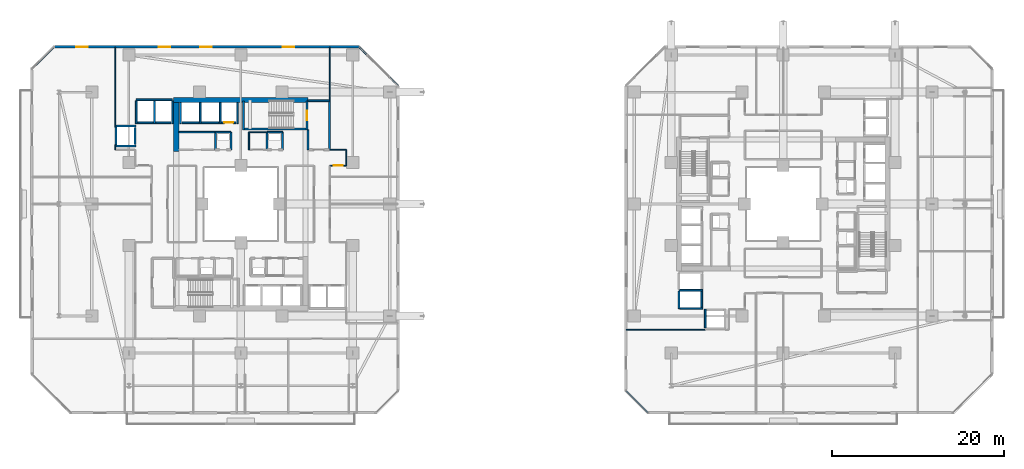
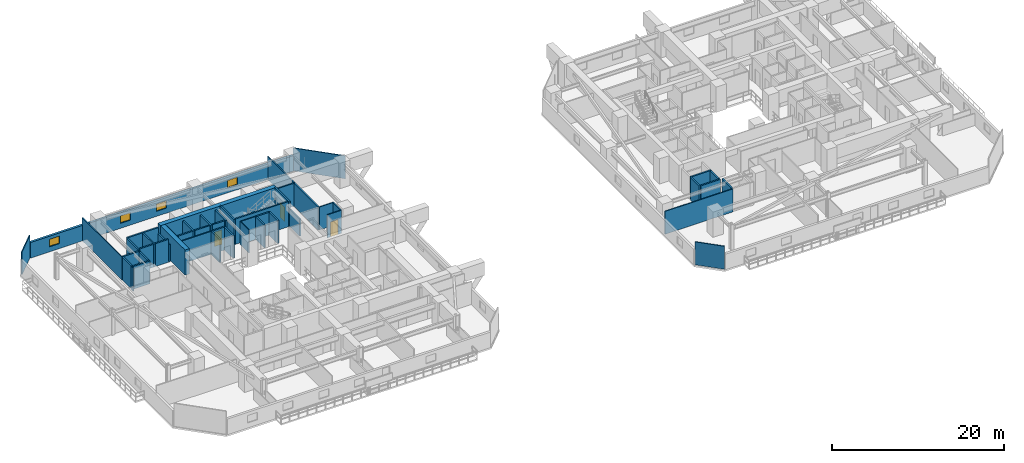
# One storey, part 24 of 36: 50 walls, 4 windows, 3 doors, 7 openings.
"""IFC4 building model written with IfcOpenShell, lengths in metres."""

from ifc_helpers import new_model, si_unit, direction, frame, frame_2d, origin, place, context, subcontext, project, spatial, rectangle, extrude, material, layer, layer_set, type_object, element, fill, save


model = new_model("IFC4")

# Units and contexts
model_context = context("Model", 3, precision=1e-05, world=origin(), true_north=direction((0.0, 1.0)))
body_context = subcontext(model_context, "Body", "Model", "MODEL_VIEW")
ifc_project = project(units=[si_unit("LENGTHUNIT", "METRE"), si_unit("AREAUNIT", "SQUARE_METRE"), si_unit("VOLUMEUNIT", "CUBIC_METRE"), si_unit("PLANEANGLEUNIT", "RADIAN"), si_unit("MASSUNIT", "GRAM", prefix="KILO")], contexts=[model_context])

# Site, building, storey
site_placement = place(None, origin())
site = spatial("IfcSite", under=ifc_project, at=site_placement, CompositionType="ELEMENT")
building_placement = place(site_placement, origin())
building = spatial("IfcBuilding", under=site, at=building_placement, Name="Thornwick Lancets Civic Towers", CompositionType="ELEMENT")
storey_placement = place(building_placement, frame((0.0, 0.0, 45.89990234375)))
storey = spatial("IfcBuildingStorey", under=building, at=storey_placement, Name="L11", CompositionType="ELEMENT", Elevation=45.89990234375)

# Wall, opening, door
ifc_material_1 = material(Name="Concrete blockwork C40/50", Category="masonry")
ifc_layer_1 = layer(ifc_material_1, 0.199951171875, Name="Concrete blockwork C40/50")
ifc_layer_set_1 = layer_set([ifc_layer_1], Name="Concrete blockwork C40/50")
wall_type_1 = type_object("IfcWallType", Name="WALL_COMP_200", PredefinedType="STANDARD", material=ifc_layer_set_1)
wall_1_placement = place(storey_placement, frame((24.919921875, 36.449951171875, 0.0), z_axis=(0.0, 0.0, 1.0), x_axis=(-1.0, 0.0, 0.0)))
wall_1 = element("IfcWall", 1, at=wall_1_placement, inside=storey, type_object=wall_type_1, Name="L11 Hoistway Front Wall FL-A2", PredefinedType="STANDARD", context=body_context, shape_type="SweptSolid", body=[
    extrude(rectangle(XDim=1.639892578125, YDim=0.199951171875, at=frame_2d((0.81982421875, 0.0))), origin(), (0.0, 0.0, 1.0), 3.260009765625),
])
opening_1_placement = place(wall_1_placement, frame((0.31005859375, 0.0, 0.0)))
opening_1 = element("IfcOpeningElement", 2, at=opening_1_placement, cuts=wall_1, Name="Opening LD-FL-A2", PredefinedType="OPENING", context=body_context, shape_type="SweptSolid", body=[
    extrude(rectangle(XDim=1.02001953125, YDim=2.06005859375, at=frame_2d((0.510009765625, 1.030029296875))), frame((0.0, 0.10986328125, 0.0), z_axis=(0.0, -1.0, 0.0), x_axis=(1.0, 0.0, 0.0)), (0.0, 0.0, 1.0), 0.219970703125),
])
ifc_material_2 = material(Name="Brushed bronze stainless steel", Category="steel")
door_type_1 = type_object("IfcDoorType", Name="DOOR_LIFT_SLIDE", OperationType="SLIDING_TO_LEFT", PredefinedType="DOOR", material=ifc_material_2)
door_1_placement = place(opening_1_placement, origin())
door_1 = element("IfcDoor", 3, at=door_1_placement, inside=storey, type_object=door_type_1, Name="L11 Sliding Lift Landing Door LD-FL-A2", OperationType="SLIDING_TO_LEFT", OverallHeight=2.06005859375, OverallWidth=1.02001953125, PredefinedType="DOOR", context=body_context, shape_type="SweptSolid", body=[
    extrude(rectangle(XDim=1.02001953125, YDim=2.06005859375, at=frame_2d((0.510009765625, 1.030029296875))), frame((0.0, 0.02490234375, 0.0), z_axis=(0.0, -1.0, 0.0), x_axis=(1.0, 0.0, 0.0)), (0.0, 0.0, 1.0), 0.050048828125),
])
fill(opening_1, door_1)

# Walls
wall_2_placement = place(storey_placement, frame((22.919921875, 36.449951171875, 0.0), z_axis=(0.0, 0.0, 1.0), x_axis=(-1.0, 0.0, 0.0)))
element("IfcWall", 4, at=wall_2_placement, inside=storey, type_object=wall_type_1, Name="L11 Hoistway Front Wall PL-AH2", PredefinedType="STANDARD", context=body_context, shape_type="SweptSolid", body=[
    extrude(rectangle(XDim=1.989990234375, YDim=0.199951171875, at=frame_2d((0.9951171875, 0.0))), origin(), (0.0, 0.0, 1.0), 3.260009765625),
])
wall_3_placement = place(storey_placement, frame((20.6201171875, 36.449951171875, 0.0), z_axis=(0.0, 0.0, 1.0), x_axis=(-1.0, 0.0, 0.0)))
element("IfcWall", 5, at=wall_3_placement, inside=storey, type_object=wall_type_1, Name="L11 Hoistway Front Wall PL-AH3", PredefinedType="STANDARD", context=body_context, shape_type="SweptSolid", body=[
    extrude(rectangle(XDim=1.940185546875, YDim=0.199951171875, at=frame_2d((0.97021484375, 0.0))), origin(), (0.0, 0.0, 1.0), 3.260009765625),
])
wall_4_placement = place(storey_placement, frame((17.3701171875, 36.449951171875, 0.0), z_axis=(0.0, 0.0, 1.0), x_axis=(-1.0, 0.0, 0.0)))
element("IfcWall", 6, at=wall_4_placement, inside=storey, type_object=wall_type_1, Name="L11 Hoistway Front Wall PL-AM1", PredefinedType="STANDARD", context=body_context, shape_type="SweptSolid", body=[
    extrude(rectangle(XDim=1.740234375, YDim=0.199951171875, at=frame_2d((0.8701171875, 0.0))), origin(), (0.0, 0.0, 1.0), 3.260009765625),
])
for number, where, z_axis, x_axis, name in (
    (7, (15.320068359375, 36.449951171875, 0.0), (0.0, 0.0, 1.0), (-1.0, 0.0, 0.0), "L11 Hoistway Front Wall PL-AM2"),
    (8, (79.050048828125, 15.030029296875, 0.0), (0.0, 0.0, 1.0), (0.0, 1.0, 0.0), "L11 Hoistway Front Wall PL-BM2"),
):
    element("IfcWall", number, at=place(storey_placement, frame(where, z_axis=z_axis, x_axis=x_axis)), inside=storey, type_object=wall_type_1, Name=name, PredefinedType="STANDARD", context=body_context, shape_type="SweptSolid", body=[
        extrude(rectangle(XDim=1.7900390625, YDim=0.199951171875, at=frame_2d((0.89501953125, 0.0))), origin(), (0.0, 0.0, 1.0), 3.260009765625),
    ])
wall_5_placement = place(storey_placement, frame((13.199951171875, 33.929931640625, 0.0), z_axis=(0.0, 0.0, 1.0), x_axis=(0.0, 1.0, 0.0)))
element("IfcWall", 9, at=wall_5_placement, inside=storey, type_object=wall_type_1, Name="L11 Hoistway Front Wall PL-AM3", PredefinedType="STANDARD", context=body_context, shape_type="SweptSolid", body=[
    extrude(rectangle(XDim=1.940185546875, YDim=0.199951171875, at=frame_2d((0.97021484375, 0.0))), origin(), (0.0, 0.0, 1.0), 3.260009765625),
])
for number, where, z_axis, x_axis, name in (
    (10, (25.10009765625, 36.35205078125, 0.0), (0.0, 0.0, 1.0), (0.0, 1.0, 0.0), "L11 Hoistway Shaft Wall FL-A2 E"),
    (11, (23.10009765625, 36.35205078125, 0.0), (0.0, 0.0, 1.0), (0.0, 1.0, 0.0), "L11 Hoistway Shaft Wall FL-A2 W"),
    (12, (20.77490234375, 36.35205078125, 0.0), (0.0, 0.0, 1.0), (0.0, 1.0, 0.0), "L11 Hoistway Shaft Wall PL-AH2 W"),
    (13, (18.5, 36.35205078125, 0.0), (0.0, 0.0, 1.0), (0.0, 1.0, 0.0), "L11 Hoistway Shaft Wall PL-AH3 W"),
):
    element("IfcWall", number, at=place(storey_placement, frame(where, z_axis=z_axis, x_axis=x_axis)), inside=storey, type_object=wall_type_1, Name=name, PredefinedType="STANDARD", context=body_context, shape_type="SweptSolid", body=[
        extrude(rectangle(XDim=2.43603515625, YDim=0.199951171875, at=frame_2d((1.218017578125, 0.0))), origin(), (0.0, 0.0, 1.0), 3.260009765625),
    ])
wall_6_placement = place(storey_placement, frame((13.35205078125, 39.10009765625, 0.0), z_axis=(0.0, 0.0, 1.0), x_axis=(1.0, 0.0, 0.0)))
element("IfcWall", 14, at=wall_6_placement, inside=storey, type_object=wall_type_1, Name="L11 Hoistway Shaft Wall PL-AM1 N", PredefinedType="STANDARD", context=body_context, shape_type="SweptSolid", body=[
    extrude(rectangle(XDim=4.196044921875, YDim=0.199951171875, at=frame_2d((2.09814453125, 0.0))), origin(), (0.0, 0.0, 1.0), 3.260009765625),
])
wall_7_placement = place(storey_placement, frame((17.550048828125, 36.35205078125, 0.0), z_axis=(0.0, 0.0, 1.0), x_axis=(0.0, 1.0, 0.0)))
element("IfcWall", 15, at=wall_7_placement, inside=storey, type_object=wall_type_1, Name="L11 Hoistway Shaft Wall PL-AM1 E", PredefinedType="STANDARD", context=body_context, shape_type="SweptSolid", body=[
    extrude(rectangle(XDim=2.635986328125, YDim=0.199951171875, at=frame_2d((1.31787109375, 0.0))), origin(), (0.0, 0.0, 1.0), 2.465087890625),
])
wall_8_placement = place(storey_placement, frame((15.47509765625, 36.35205078125, 0.0), z_axis=(0.0, 0.0, 1.0), x_axis=(0.0, 1.0, 0.0)))
element("IfcWall", 16, at=wall_8_placement, inside=storey, type_object=wall_type_1, Name="L11 Hoistway Shaft Wall PL-AM1 W", PredefinedType="STANDARD", context=body_context, shape_type="SweptSolid", body=[
    extrude(rectangle(XDim=2.635986328125, YDim=0.199951171875, at=frame_2d((1.31787109375, 0.0))), origin(), (0.0, 0.0, 1.0), 3.260009765625),
])
wall_9_placement = place(storey_placement, frame((76.402099609375, 16.97509765625, 0.0), z_axis=(0.0, 0.0, 1.0), x_axis=(1.0, 0.0, 0.0)))
element("IfcWall", 17, at=wall_9_placement, inside=storey, type_object=wall_type_1, Name="L11 Hoistway Shaft Wall PL-BM1 S", PredefinedType="STANDARD", context=body_context, shape_type="SweptSolid", body=[
    extrude(rectangle(XDim=2.745849609375, YDim=0.199951171875, at=frame_2d((1.373046875, 0.0))), origin(), (0.0, 0.0, 1.0), 3.260009765625),
])
wall_10_placement = place(storey_placement, frame((76.39990234375, 14.85205078125, 0.0), z_axis=(0.0, 0.0, 1.0), x_axis=(0.0, 1.0, 0.0)))
element("IfcWall", 18, at=wall_10_placement, inside=storey, type_object=wall_type_1, Name="L11 Hoistway Shaft Wall PL-BM1 W", PredefinedType="STANDARD", context=body_context, shape_type="SweptSolid", body=[
    extrude(rectangle(XDim=2.015869140625, YDim=0.199951171875, at=frame_2d((1.0078125, 0.0))), origin(), (0.0, 0.0, 1.0), 3.260009765625),
])
for number, where, z_axis, x_axis, name in (
    (19, (13.35009765625, 36.35205078125, 0.0), (0.0, 0.0, 1.0), (0.0, 1.0, 0.0), "L11 Hoistway Shaft Wall PL-AM2 W"),
    (20, (76.511962890625, 14.85009765625, 0.0), (0.0, 0.0, 1.0), (1.0, 0.0, 0.0), "L11 Hoistway Shaft Wall PL-BM2 S"),
):
    element("IfcWall", number, at=place(storey_placement, frame(where, z_axis=z_axis, x_axis=x_axis)), inside=storey, type_object=wall_type_1, Name=name, PredefinedType="STANDARD", context=body_context, shape_type="SweptSolid", body=[
        extrude(rectangle(XDim=2.635986328125, YDim=0.199951171875, at=frame_2d((1.31787109375, 0.0))), origin(), (0.0, 0.0, 1.0), 3.260009765625),
    ])
for number, where, z_axis, x_axis, name in (
    (21, (11.001953125, 36.050048828125, 0.0), (0.0, 0.0, 1.0), (1.0, 0.0, 0.0), "L11 Hoistway Shaft Wall PL-AM3 N"),
    (22, (11.001953125, 33.75, 0.0), (0.0, 0.0, 1.0), (1.0, 0.0, 0.0), "L11 Hoistway Shaft Wall PL-AM3 S"),
):
    element("IfcWall", number, at=place(storey_placement, frame(where, z_axis=z_axis, x_axis=x_axis)), inside=storey, type_object=wall_type_1, Name=name, PredefinedType="STANDARD", context=body_context, shape_type="SweptSolid", body=[
        extrude(rectangle(XDim=2.296142578125, YDim=0.199951171875, at=frame_2d((1.14794921875, 0.0))), origin(), (0.0, 0.0, 1.0), 3.260009765625),
    ])
wall_11_placement = place(storey_placement, frame((11.0, 33.862060546875, 0.0), z_axis=(0.0, 0.0, 1.0), x_axis=(0.0, 1.0, 0.0)))
element("IfcWall", 23, at=wall_11_placement, inside=storey, type_object=wall_type_1, Name="L11 Hoistway Shaft Wall PL-AM3 W", PredefinedType="STANDARD", context=body_context, shape_type="SweptSolid", body=[
    extrude(rectangle(XDim=2.075927734375, YDim=0.199951171875, at=frame_2d((1.0380859375, 0.0))), origin(), (0.0, 0.0, 1.0), 3.260009765625),
])
wall_12_placement = place(storey_placement, frame((79.449951171875, 12.612060546875, 0.0), z_axis=(0.0, 0.0, 1.0), x_axis=(0.0, 1.0, 0.0)))
element("IfcWall", 24, at=wall_12_placement, inside=storey, type_object=wall_type_1, Name="L11 Hoistway Shaft Wall PL-BM3 W", PredefinedType="STANDARD", context=body_context, shape_type="SweptSolid", body=[
    extrude(rectangle(XDim=2.18603515625, YDim=0.199951171875, at=frame_2d((1.093017578125, 0.0))), origin(), (0.0, 0.0, 1.0), 3.260009765625),
])
wall_13_placement = place(storey_placement, frame((35.800048828125, 33.300048828125, 0.0), z_axis=(0.0, 0.0, 1.0), x_axis=(0.0, 1.0, 0.0)))
element("IfcWall", 25, at=wall_13_placement, inside=storey, type_object=wall_type_1, Name="L11 Partition L11-A-FFLOB2 E2", PredefinedType="STANDARD", context=body_context, shape_type="SweptSolid", body=[
    extrude(rectangle(XDim=5.699951171875, YDim=0.199951171875, at=frame_2d((2.85009765625, 0.0))), origin(), (0.0, 0.0, 1.0), 3.260009765625),
])
wall_14_placement = place(storey_placement, frame((35.800048828125, 39.0, 0.0), z_axis=(0.0, 0.0, 1.0), x_axis=(-1.0, 0.0, 0.0)))
element("IfcWall", 26, at=wall_14_placement, inside=storey, type_object=wall_type_1, Name="L11 Partition L11-A-FFLOB2 E3", PredefinedType="STANDARD", context=body_context, shape_type="SweptSolid", body=[
    extrude(rectangle(XDim=2.5, YDim=0.199951171875, at=frame_2d((1.25, 0.0))), origin(), (0.0, 0.0, 1.0), 3.260009765625),
])
wall_15_placement = place(storey_placement, frame((33.300048828125, 35.60009765625, 0.0), z_axis=(0.0, 0.0, 1.0), x_axis=(0.0, -1.0, 0.0)))
element("IfcWall", 27, at=wall_15_placement, inside=storey, type_object=wall_type_1, Name="L11 Partition L11-A-FFLOB2 E4", PredefinedType="STANDARD", context=body_context, shape_type="SweptSolid", body=[
    extrude(rectangle(XDim=2.300048828125, YDim=0.199951171875, at=frame_2d((1.14990234375, 0.0))), origin(), (0.0, 0.0, 1.0), 2.465087890625),
])
wall_16_placement = place(storey_placement, frame((24.35009765625, 33.300048828125, 0.0), z_axis=(0.0, 0.0, 1.0), x_axis=(0.0, 1.0, 0.0)))
element("IfcWall", 28, at=wall_16_placement, inside=storey, type_object=wall_type_1, Name="L11 Partition L11-A-DUCT2 E2", PredefinedType="STANDARD", context=body_context, shape_type="SweptSolid", body=[
    extrude(rectangle(XDim=2.050048828125, YDim=0.199951171875, at=frame_2d((1.02490234375, 0.0))), origin(), (0.0, 0.0, 1.0), 3.260009765625),
])
wall_17_placement = place(storey_placement, frame((24.35009765625, 35.35009765625, 0.0), z_axis=(0.0, 0.0, 1.0), x_axis=(-1.0, 0.0, 0.0)))
element("IfcWall", 29, at=wall_17_placement, inside=storey, type_object=wall_type_1, Name="L11 Partition L11-A-DUCT2 E3", PredefinedType="STANDARD", context=body_context, shape_type="SweptSolid", body=[
    extrude(rectangle(XDim=1.800048828125, YDim=0.199951171875, at=frame_2d((0.89990234375, 0.0))), origin(), (0.0, 0.0, 1.0), 3.260009765625),
])
for number, where, z_axis, x_axis, name in (
    (30, (22.550048828125, 35.35009765625, 0.0), (0.0, 0.0, 1.0), (0.0, -1.0, 0.0), "L11 Partition L11-A-DUCT2 E4"),
    (31, (30.35009765625, 33.300048828125, 0.0), (0.0, 0.0, 1.0), (0.0, 1.0, 0.0), "L11 Partition L11-A-RISER2 E2"),
):
    element("IfcWall", number, at=place(storey_placement, frame(where, z_axis=z_axis, x_axis=x_axis)), inside=storey, type_object=wall_type_1, Name=name, PredefinedType="STANDARD", context=body_context, shape_type="SweptSolid", body=[
        extrude(rectangle(XDim=2.050048828125, YDim=0.199951171875, at=frame_2d((1.02490234375, 0.0))), origin(), (0.0, 0.0, 1.0), 3.260009765625),
    ])
wall_18_placement = place(storey_placement, frame((30.35009765625, 35.35009765625, 0.0), z_axis=(0.0, 0.0, 1.0), x_axis=(-1.0, 0.0, 0.0)))
element("IfcWall", 32, at=wall_18_placement, inside=storey, type_object=wall_type_1, Name="L11 Partition L11-A-RISER2 E3", PredefinedType="STANDARD", context=body_context, shape_type="SweptSolid", body=[
    extrude(rectangle(XDim=1.800048828125, YDim=0.199951171875, at=frame_2d((0.89990234375, 0.0))), origin(), (0.0, 0.0, 1.0), 3.260009765625),
])
wall_19_placement = place(storey_placement, frame((28.550048828125, 35.35009765625, 0.0), z_axis=(0.0, 0.0, 1.0), x_axis=(0.0, -1.0, 0.0)))
element("IfcWall", 33, at=wall_19_placement, inside=storey, type_object=wall_type_1, Name="L11 Partition L11-A-RISER2 E4", PredefinedType="STANDARD", context=body_context, shape_type="SweptSolid", body=[
    extrude(rectangle(XDim=2.050048828125, YDim=0.199951171875, at=frame_2d((1.02490234375, 0.0))), origin(), (0.0, 0.0, 1.0), 3.260009765625),
])
ifc_material_3 = material(Name="Concrete C60/75", Category="concrete")
ifc_layer_2 = layer(ifc_material_3, 0.60009765625, Name="Concrete C60/75")
ifc_layer_set_2 = layer_set([ifc_layer_2], Name="Concrete C60/75")
wall_type_2 = type_object("IfcWallType", Name="WALL_CORE_600", PredefinedType="SHEAR", material=ifc_layer_set_2)
wall_20_placement = place(storey_placement, frame((17.699951171875, 39.10009765625, 0.0), z_axis=(0.0, 0.0, 1.0), x_axis=(1.0, 0.0, 0.0)))
element("IfcWall", 34, at=wall_20_placement, inside=storey, type_object=wall_type_2, Name="L11 Split Core A2 Shear Wall N", PredefinedType="SHEAR", context=body_context, shape_type="SweptSolid", body=[
    extrude(rectangle(XDim=15.60009765625, YDim=0.60009765625, at=frame_2d((7.800048828125, 0.0))), origin(), (0.0, 0.0, 1.0), 3.60009765625),
])
wall_21_placement = place(storey_placement, frame((18.0, 33.10009765625, 0.0), z_axis=(0.0, 0.0, 1.0), x_axis=(0.0, 1.0, 0.0)))
element("IfcWall", 35, at=wall_21_placement, inside=storey, type_object=wall_type_2, Name="L11 Split Core A2 Shear Wall W", PredefinedType="SHEAR", context=body_context, shape_type="SweptSolid", body=[
    extrude(rectangle(XDim=5.699951171875, YDim=0.60009765625, at=frame_2d((2.85009765625, 0.0))), origin(), (0.0, 0.0, 1.0), 3.60009765625),
])

# Wall, openings, windows
ifc_material_4 = material(Name="Insulated russet terracotta rainscreen on concrete C40/50", Category="masonry")
ifc_layer_3 = layer(ifc_material_4, 0.300048828125, Name="Insulated russet terracotta rainscreen on concrete C40/50")
ifc_layer_set_3 = layer_set([ifc_layer_3], Name="Insulated russet terracotta rainscreen on concrete C40/50")
wall_type_3 = type_object("IfcWallType", Name="WALL_EXT_RUSSET_300", PredefinedType="STANDARD", material=ifc_layer_set_3)
wall_22_placement = place(storey_placement, frame((39.224609375, 45.258544921875, 0.0), z_axis=(0.0, 0.0, 1.0), x_axis=(-0.999999983929, 0.00017928314, 0.0)))
wall_22 = element("IfcWall", 36, at=wall_22_placement, inside=storey, type_object=wall_type_3, Name="L11 Tower A Terracotta Facade Wall E4", PredefinedType="STANDARD", context=body_context, shape_type="SweptSolid", body=[
    extrude(rectangle(XDim=35.40576171875, YDim=0.300048828125, at=frame_2d((17.702880859375, 0.0))), origin(), (0.0, 0.0, 1.0), 2.22021484375),
])
opening_2_placement = place(wall_22_placement, frame((7.5, 0.0, 0.719970703125)))
opening_2 = element("IfcOpeningElement", 37, at=opening_2_placement, cuts=wall_22, Name="Opening WL-03", PredefinedType="OPENING", context=body_context, shape_type="SweptSolid", body=[
    extrude(rectangle(XDim=1.35009765625, YDim=1.050048828125, at=frame_2d((0.675048828125, 0.52490234375))), frame((0.0, 0.16015625, 0.0), z_axis=(0.0, -1.0, 0.0), x_axis=(1.0, 0.0, 0.0)), (0.0, 0.0, 1.0), 0.320068359375),
])
opening_3_placement = place(wall_22_placement, frame((17.10009765625, 0.0, 0.719970703125)))
opening_3 = element("IfcOpeningElement", 38, at=opening_3_placement, cuts=wall_22, Name="Opening WL-03", PredefinedType="OPENING", context=body_context, shape_type="SweptSolid", body=[
    extrude(rectangle(XDim=1.35009765625, YDim=1.050048828125, at=frame_2d((0.675048828125, 0.52490234375))), frame((0.0, 0.16015625, 0.0), z_axis=(0.0, -1.0, 0.0), x_axis=(1.0, 0.0, 0.0)), (0.0, 0.0, 1.0), 0.320068359375),
])
opening_4_placement = place(wall_22_placement, frame((21.89990234375, 0.0, 0.719970703125)))
opening_4 = element("IfcOpeningElement", 39, at=opening_4_placement, cuts=wall_22, Name="Opening WL-03", PredefinedType="OPENING", context=body_context, shape_type="SweptSolid", body=[
    extrude(rectangle(XDim=1.35009765625, YDim=1.050048828125, at=frame_2d((0.675048828125, 0.52490234375))), frame((0.0, 0.16015625, 0.0), z_axis=(0.0, -1.0, 0.0), x_axis=(1.0, 0.0, 0.0)), (0.0, 0.0, 1.0), 0.320068359375),
])
opening_5_placement = place(wall_22_placement, frame((31.5, 0.0, 0.719970703125)))
opening_5 = element("IfcOpeningElement", 40, at=opening_5_placement, cuts=wall_22, Name="Opening WL-03", PredefinedType="OPENING", context=body_context, shape_type="SweptSolid", body=[
    extrude(rectangle(XDim=1.35009765625, YDim=1.050048828125, at=frame_2d((0.675048828125, 0.52490234375))), frame((0.0, 0.16015625, 0.0), z_axis=(0.0, -1.0, 0.0), x_axis=(1.0, 0.0, 0.0)), (0.0, 0.0, 1.0), 0.320068359375),
])
ifc_material_5 = material(Name="Clear low-e double glazing clerestory lancet", Category="glass")
window_type = type_object("IfcWindowType", Name="WIN_LANCET_1350", PartitioningType="SINGLE_PANEL", PredefinedType="WINDOW", material=ifc_material_5)
window_1_placement = place(opening_2_placement, origin())
window_1 = element("IfcWindow", 41, at=window_1_placement, inside=storey, type_object=window_type, Name="L11 Tower A Staggered Lancet Window E4-1", OverallHeight=1.050048828125, OverallWidth=1.35009765625, PartitioningType="SINGLE_PANEL", PredefinedType="WINDOW", context=body_context, shape_type="SweptSolid", body=[
    extrude(rectangle(XDim=1.35009765625, YDim=1.050048828125, at=frame_2d((0.675048828125, 0.52490234375))), frame((0.0, 0.030029296875, 0.0), z_axis=(0.0, -1.0, 0.0), x_axis=(1.0, 0.0, 0.0)), (0.0, 0.0, 1.0), 0.06005859375),
])
fill(opening_2, window_1)
window_2_placement = place(opening_3_placement, origin())
window_2 = element("IfcWindow", 42, at=window_2_placement, inside=storey, type_object=window_type, Name="L11 Tower A Staggered Lancet Window E4-2", OverallHeight=1.050048828125, OverallWidth=1.35009765625, PartitioningType="SINGLE_PANEL", PredefinedType="WINDOW", context=body_context, shape_type="SweptSolid", body=[
    extrude(rectangle(XDim=1.35009765625, YDim=1.050048828125, at=frame_2d((0.675048828125, 0.52490234375))), frame((0.0, 0.030029296875, 0.0), z_axis=(0.0, -1.0, 0.0), x_axis=(1.0, 0.0, 0.0)), (0.0, 0.0, 1.0), 0.06005859375),
])
fill(opening_3, window_2)
window_3_placement = place(opening_4_placement, origin())
window_3 = element("IfcWindow", 43, at=window_3_placement, inside=storey, type_object=window_type, Name="L11 Tower A Staggered Lancet Window E4-3", OverallHeight=1.050048828125, OverallWidth=1.35009765625, PartitioningType="SINGLE_PANEL", PredefinedType="WINDOW", context=body_context, shape_type="SweptSolid", body=[
    extrude(rectangle(XDim=1.35009765625, YDim=1.050048828125, at=frame_2d((0.675048828125, 0.52490234375))), frame((0.0, 0.030029296875, 0.0), z_axis=(0.0, -1.0, 0.0), x_axis=(1.0, 0.0, 0.0)), (0.0, 0.0, 1.0), 0.06005859375),
])
fill(opening_4, window_3)
window_4_placement = place(opening_5_placement, origin())
window_4 = element("IfcWindow", 44, at=window_4_placement, inside=storey, type_object=window_type, Name="L11 Tower A Staggered Lancet Window E4-4", OverallHeight=1.050048828125, OverallWidth=1.35009765625, PartitioningType="SINGLE_PANEL", PredefinedType="WINDOW", context=body_context, shape_type="SweptSolid", body=[
    extrude(rectangle(XDim=1.35009765625, YDim=1.050048828125, at=frame_2d((0.675048828125, 0.52490234375))), frame((0.0, 0.030029296875, 0.0), z_axis=(0.0, -1.0, 0.0), x_axis=(1.0, 0.0, 0.0)), (0.0, 0.0, 1.0), 0.06005859375),
])
fill(opening_5, window_4)

# Walls
ifc_material_6 = material(Name="Acoustic gypsum board partition")
ifc_layer_4 = layer(ifc_material_6, 0.1201171875, Name="Acoustic gypsum board partition")
ifc_layer_set_4 = layer_set([ifc_layer_4], Name="Acoustic gypsum board partition")
wall_type_4 = type_object("IfcWallType", Name="WALL_PART_120", PredefinedType="PARTITIONING", material=ifc_layer_set_4)
wall_23_placement = place(storey_placement, frame((26.449951171875, 33.300048828125, 0.0), z_axis=(0.0, 0.0, 1.0), x_axis=(0.0, 1.0, 0.0)))
element("IfcWall", 45, at=wall_23_placement, inside=storey, type_object=wall_type_4, Name="L11 Partition L11-A-ITR E1", PredefinedType="PARTITIONING", context=body_context, shape_type="SweptSolid", body=[
    extrude(rectangle(XDim=2.050048828125, YDim=0.1201171875, at=frame_2d((1.02490234375, 0.0))), origin(), (0.0, 0.0, 1.0), 3.260009765625),
])
wall_24_placement = place(storey_placement, frame((26.449951171875, 35.35009765625, 0.0), z_axis=(0.0, 0.0, 1.0), x_axis=(1.0, 0.0, 0.0)))
element("IfcWall", 46, at=wall_24_placement, inside=storey, type_object=wall_type_4, Name="L11 Partition L11-A-ITR E2", PredefinedType="PARTITIONING", context=body_context, shape_type="SweptSolid", body=[
    extrude(rectangle(XDim=2.10009765625, YDim=0.1201171875, at=frame_2d((1.050048828125, 0.0))), origin(), (0.0, 0.0, 1.0), 3.260009765625),
])
wall_25_placement = place(storey_placement, frame((1.280029296875, 42.725341796875, 0.0), z_axis=(0.0, 0.0, 1.0), x_axis=(0.707106781187, 0.707106781187, 0.0)))
element("IfcWall", 47, at=wall_25_placement, inside=storey, type_object=wall_type_4, Name="L11 Partition L11-A-W3 E7", PredefinedType="PARTITIONING", context=body_context, shape_type="SweptSolid", body=[
    extrude(rectangle(XDim=3.52783203125, YDim=0.1201171875, at=frame_2d((1.763916015625, 0.0))), origin(), (0.0, 0.0, 1.0), 3.260009765625),
])
wall_26_placement = place(storey_placement, frame((10.89990234375, 45.219970703125, 0.0), z_axis=(0.0, 0.0, 1.0), x_axis=(0.0, -1.0, 0.0)))
element("IfcWall", 48, at=wall_26_placement, inside=storey, type_object=wall_type_4, Name="L11 Partition L11-A-W3 E9", PredefinedType="PARTITIONING", context=body_context, shape_type="SweptSolid", body=[
    extrude(rectangle(XDim=9.281982421875, YDim=0.1201171875, at=frame_2d((4.64111328125, 0.0))), origin(), (0.0, 0.0, 1.0), 3.260009765625),
])
wall_27_placement = place(storey_placement, frame((10.89990234375, 33.862060546875, 0.0), z_axis=(0.0, 0.0, 1.0), x_axis=(0.0, -1.0, 0.0)))
element("IfcWall", 49, at=wall_27_placement, inside=storey, type_object=wall_type_4, Name="L11 Partition L11-A-W3 E9", PredefinedType="PARTITIONING", context=body_context, shape_type="SweptSolid", body=[
    extrude(rectangle(XDim=0.56201171875, YDim=0.1201171875, at=frame_2d((0.281005859375, 0.0))), origin(), (0.0, 0.0, 1.0), 3.260009765625),
])

# Wall, opening, door
wall_28_placement = place(storey_placement, frame((35.85009765625, 31.449951171875, 0.0), z_axis=(0.0, 0.0, 1.0), x_axis=(1.0, 0.0, 0.0)))
wall_28 = element("IfcWall", 50, at=wall_28_placement, inside=storey, type_object=wall_type_4, Name="L11 Partition L11-A-E3 E1", PredefinedType="PARTITIONING", context=body_context, shape_type="SweptSolid", body=[
    extrude(rectangle(XDim=1.89990234375, YDim=0.1201171875, at=frame_2d((0.949951171875, 0.0))), origin(), (0.0, 0.0, 1.0), 3.260009765625),
])
opening_6_placement = place(wall_28_placement, frame((0.425048828125, 0.0, 0.0)))
opening_6 = element("IfcOpeningElement", 51, at=opening_6_placement, cuts=wall_28, Name="Opening D-L11-0566", PredefinedType="OPENING", context=body_context, shape_type="SweptSolid", body=[
    extrude(rectangle(XDim=1.050048828125, YDim=2.10009765625, at=frame_2d((0.52490234375, 1.050048828125))), frame((0.0, 0.070068359375, 0.0), z_axis=(0.0, -1.0, 0.0), x_axis=(1.0, 0.0, 0.0)), (0.0, 0.0, 1.0), 0.14013671875),
])
ifc_material_7 = material(Name="Glazed European oak executive doorset")
door_type_2 = type_object("IfcDoorType", Name="DOOR_OFFICE_1050", OperationType="NOTDEFINED", PredefinedType="DOOR", material=ifc_material_7)
door_2_placement = place(opening_6_placement, origin())
door_2 = element("IfcDoor", 52, at=door_2_placement, inside=storey, type_object=door_type_2, Name="L11 Tower A Civic Seminar Room Door", OperationType="SINGLE_SWING_LEFT", OverallHeight=2.10009765625, OverallWidth=1.050048828125, PredefinedType="DOOR", context=body_context, shape_type="SweptSolid", body=[
    extrude(rectangle(XDim=1.050048828125, YDim=2.10009765625, at=frame_2d((0.52490234375, 1.050048828125))), frame((0.0, 0.02490234375, 0.0), z_axis=(0.0, -1.0, 0.0), x_axis=(1.0, 0.0, 0.0)), (0.0, 0.0, 1.0), 0.050048828125),
])
fill(opening_6, door_2)

# Walls
wall_29_placement = place(storey_placement, frame((37.75, 31.449951171875, 0.0), z_axis=(0.0, 0.0, 1.0), x_axis=(0.0, 1.0, 0.0)))
element("IfcWall", 53, at=wall_29_placement, inside=storey, type_object=wall_type_4, Name="L11 Partition L11-A-E3 E2", PredefinedType="PARTITIONING", context=body_context, shape_type="SweptSolid", body=[
    extrude(rectangle(XDim=1.85009765625, YDim=0.1201171875, at=frame_2d((0.925048828125, 0.0))), origin(), (0.0, 0.0, 1.0), 3.260009765625),
])
wall_30_placement = place(storey_placement, frame((37.75, 33.300048828125, 0.0), z_axis=(0.0, 0.0, 1.0), x_axis=(-1.0, 0.0, 0.0)))
element("IfcWall", 54, at=wall_30_placement, inside=storey, type_object=wall_type_4, Name="L11 Partition L11-A-E3 E3", PredefinedType="PARTITIONING", context=body_context, shape_type="SweptSolid", body=[
    extrude(rectangle(XDim=1.89990234375, YDim=0.1201171875, at=frame_2d((0.949951171875, 0.0))), origin(), (0.0, 0.0, 1.0), 3.260009765625),
])
wall_31_placement = place(storey_placement, frame((35.85009765625, 39.0, 0.0), z_axis=(0.0, 0.0, 1.0), x_axis=(0.0, 1.0, 0.0)))
element("IfcWall", 55, at=wall_31_placement, inside=storey, type_object=wall_type_4, Name="L11 Partition L11-A-E3 E4", PredefinedType="PARTITIONING", context=body_context, shape_type="SweptSolid", body=[
    extrude(rectangle(XDim=6.219970703125, YDim=0.1201171875, at=frame_2d((3.10986328125, 0.0))), origin(), (0.0, 0.0, 1.0), 3.260009765625),
])
wall_32_placement = place(storey_placement, frame((39.261474609375, 45.219970703125, 0.0), z_axis=(0.0, 0.0, 1.0), x_axis=(0.707106781187, -0.707106781187, 0.0)))
element("IfcWall", 56, at=wall_32_placement, inside=storey, type_object=wall_type_4, Name="L11 Partition L11-A-E3 E6", PredefinedType="PARTITIONING", context=body_context, shape_type="SweptSolid", body=[
    extrude(rectangle(XDim=6.30517578125, YDim=0.1201171875, at=frame_2d((3.152587890625, 0.0))), origin(), (0.0, 0.0, 1.0), 3.260009765625),
])
wall_33_placement = place(storey_placement, frame((72.774658203125, 2.780029296875, 0.0), z_axis=(0.0, 0.0, 1.0), x_axis=(-0.707106781187, 0.707106781187, 0.0)))
element("IfcWall", 57, at=wall_33_placement, inside=storey, type_object=wall_type_4, Name="L11 Partition L11-B-W3 E7", PredefinedType="PARTITIONING", context=body_context, shape_type="SweptSolid", body=[
    extrude(rectangle(XDim=3.52783203125, YDim=0.1201171875, at=frame_2d((1.763916015625, 0.0))), origin(), (0.0, 0.0, 1.0), 3.260009765625),
])
wall_34_placement = place(storey_placement, frame((70.280029296875, 12.39990234375, 0.0), z_axis=(0.0, 0.0, 1.0), x_axis=(1.0, 0.0, 0.0)))
element("IfcWall", 58, at=wall_34_placement, inside=storey, type_object=wall_type_4, Name="L11 Partition L11-B-W3 E9", PredefinedType="PARTITIONING", context=body_context, shape_type="SweptSolid", body=[
    extrude(rectangle(XDim=9.171875, YDim=0.1201171875, at=frame_2d((4.5859375, 0.0))), origin(), (0.0, 0.0, 1.0), 3.260009765625),
])
ifc_material_8 = material(Name="Twin-stud acoustic gypsum board")
ifc_layer_5 = layer(ifc_material_8, 0.14990234375, Name="Twin-stud acoustic gypsum board")
ifc_layer_set_5 = layer_set([ifc_layer_5], Name="Twin-stud acoustic gypsum board")
wall_type_5 = type_object("IfcWallType", Name="WALL_PART_150", PredefinedType="PARTITIONING", material=ifc_layer_set_5)
wall_35_placement = place(storey_placement, frame((18.300048828125, 35.35009765625, 0.0), z_axis=(0.0, 0.0, 1.0), x_axis=(1.0, 0.0, 0.0)))
element("IfcWall", 59, at=wall_35_placement, inside=storey, type_object=wall_type_5, Name="L11 Partition L11-A-FWC E2", PredefinedType="PARTITIONING", context=body_context, shape_type="SweptSolid", body=[
    extrude(rectangle(XDim=4.25, YDim=0.14990234375, at=frame_2d((2.125, 0.0))), origin(), (0.0, 0.0, 1.0), 3.260009765625),
])

# Wall, opening, door
ifc_material_9 = material(Name="Concrete C40/50", Category="concrete")
ifc_layer_6 = layer(ifc_material_9, 0.199951171875, Name="Concrete C40/50")
ifc_layer_set_6 = layer_set([ifc_layer_6], Name="Concrete C40/50")
wall_type_6 = type_object("IfcWallType", Name="WALL_SHAFT_200", PredefinedType="SHEAR", material=ifc_layer_set_6)
wall_36_placement = place(storey_placement, frame((33.199951171875, 38.949951171875, 0.0), z_axis=(0.0, 0.0, 1.0), x_axis=(0.0, -1.0, 0.0)))
wall_36 = element("IfcWall", 60, at=wall_36_placement, inside=storey, type_object=wall_type_6, Name="L11 ST-A2 Fire Stair Core Wall NEAR", PredefinedType="SHEAR", context=body_context, shape_type="SweptSolid", body=[
    extrude(rectangle(XDim=3.349853515625, YDim=0.199951171875, at=frame_2d((1.6748046875, 0.0))), origin(), (0.0, 0.0, 1.0), 3.60009765625),
])
opening_7_placement = place(wall_36_placement, frame((1.125, 0.0, 0.0)))
opening_7 = element("IfcOpeningElement", 61, at=opening_7_placement, cuts=wall_36, Name="Opening D-ST-A2-L11", PredefinedType="OPENING", context=body_context, shape_type="SweptSolid", body=[
    extrude(rectangle(XDim=1.10009765625, YDim=2.10009765625, at=frame_2d((0.550048828125, 1.050048828125))), frame((0.0, 0.10986328125, 0.0), z_axis=(0.0, -1.0, 0.0), x_axis=(1.0, 0.0, 0.0)), (0.0, 0.0, 1.0), 0.219970703125),
])
ifc_material_10 = material(Name="Fire-resisting steel and hardwood", Category="steel")
door_type_3 = type_object("IfcDoorType", Name="DOOR_STAIR_FD60", OperationType="NOTDEFINED", PredefinedType="DOOR", material=ifc_material_10)
door_3_placement = place(opening_7_placement, origin())
door_3 = element("IfcDoor", 62, at=door_3_placement, inside=storey, type_object=door_type_3, Name="L11 ST-A2 Exit Stair Door", OperationType="SINGLE_SWING_LEFT", OverallHeight=2.10009765625, OverallWidth=1.10009765625, PredefinedType="DOOR", context=body_context, shape_type="SweptSolid", body=[
    extrude(rectangle(XDim=1.10009765625, YDim=2.10009765625, at=frame_2d((0.550048828125, 1.050048828125))), frame((0.0, 0.02490234375, 0.0), z_axis=(0.0, -1.0, 0.0), x_axis=(1.0, 0.0, 0.0)), (0.0, 0.0, 1.0), 0.050048828125),
])
fill(opening_7, door_3)

# Walls
wall_37_placement = place(storey_placement, frame((25.800048828125, 35.60009765625, 0.0), z_axis=(0.0, 0.0, 1.0), x_axis=(0.0, 1.0, 0.0)))
element("IfcWall", 63, at=wall_37_placement, inside=storey, type_object=wall_type_6, Name="L11 ST-A2 Fire Stair Core Wall FAR", PredefinedType="SHEAR", context=body_context, shape_type="SweptSolid", body=[
    extrude(rectangle(XDim=3.349853515625, YDim=0.199951171875, at=frame_2d((1.6748046875, 0.0))), origin(), (0.0, 0.0, 1.0), 3.60009765625),
])
wall_38_placement = place(storey_placement, frame((25.949951171875, 35.702880859375, 0.0), z_axis=(0.0, 0.0, 1.0), x_axis=(1.0, 0.0, 0.0)))
element("IfcWall", 64, at=wall_38_placement, inside=storey, type_object=wall_type_6, Name="L11 ST-A2 Fire Stair Core Wall RIGHT", PredefinedType="SHEAR", context=body_context, shape_type="SweptSolid", body=[
    extrude(rectangle(XDim=7.10009765625, YDim=0.199951171875, at=frame_2d((3.550048828125, 0.0))), origin(), (0.0, 0.0, 1.0), 3.60009765625),
])

save(model, "model.ifc")
